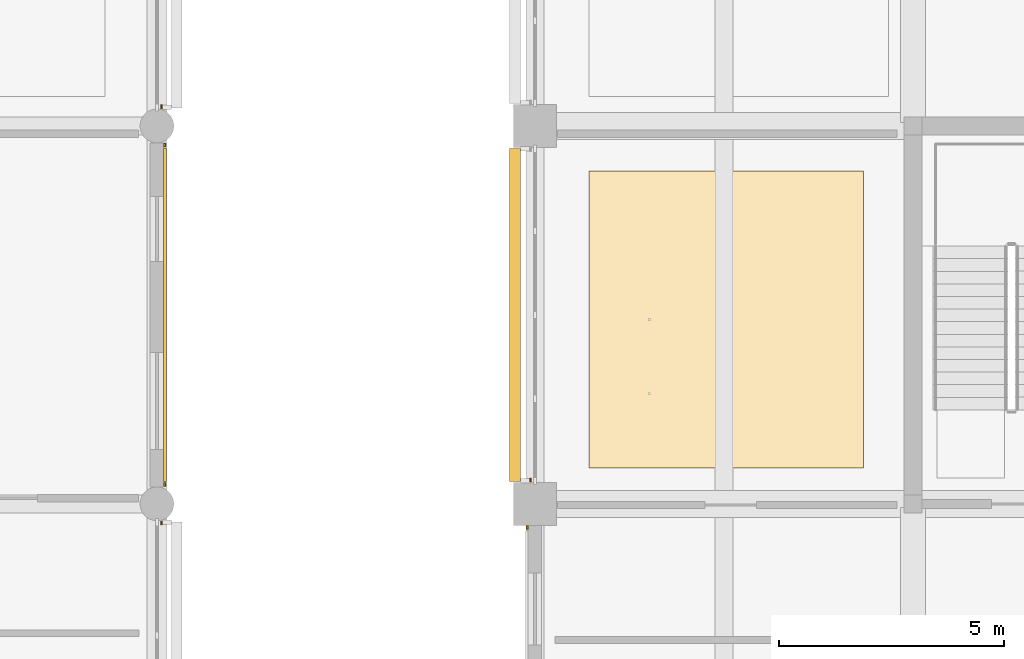
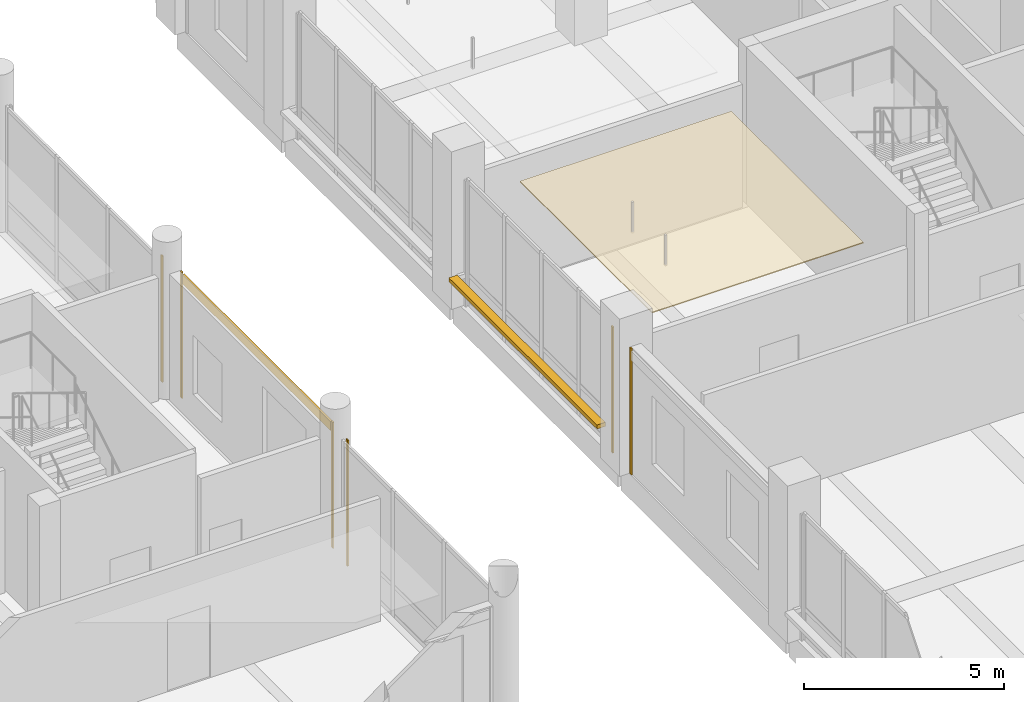
# One storey, part 93 of 122: 8 coverings, 1 shading device.
"""IFC4 building model written with IfcOpenShell, lengths in metres."""

import ifcopenshell
import ifcopenshell.guid

model = None  # the IFC model being written
_history = None  # IfcOwnerHistory: only IFC2X3 demands one
_inside = {}  # id of a spatial element -> (the spatial element, [elements in it])
_under = {}  # id of a project, library or spatial element -> (it, [spatial elements below it])
_declared = {}  # id of a project -> (the project, [libraries it declares])
_typed = {}  # id of a type object -> (the type object, [elements of that type])
_made_of = {}  # id of a material, layer set ... -> (it, [elements and type objects made of it])


def new_model(schema):
    """Start an empty IFC model of exactly this schema.

    Asked for "IFC4X3", IfcOpenShell would pick the latest addendum, in which some entities
    have other attributes; the version numbers below select the first issue.
    IFC2X3 requires an IfcOwnerHistory on every rooted entity: one is made here for all.
    """
    global model, _history
    if schema == "IFC4X3":
        model = ifcopenshell.file(schema_version=(4, 3, 0, 0))
    else:
        model = ifcopenshell.file(schema=schema)
    _inside.clear()
    _under.clear()
    _declared.clear()
    _typed.clear()
    _made_of.clear()
    _history = None
    if model.schema == "IFC2X3":
        org = make("IfcOrganization", Name="unknown")
        user = make(
            "IfcPersonAndOrganization",
            ThePerson=make("IfcPerson", FamilyName="unknown"),
            TheOrganization=org,
        )
        app = make(
            "IfcApplication",
            ApplicationDeveloper=org,
            Version="unknown",
            ApplicationFullName="unknown",
            ApplicationIdentifier="unknown",
        )
        _history = make(
            "IfcOwnerHistory",
            OwningUser=user,
            OwningApplication=app,
            ChangeAction="ADDED",
            CreationDate=0,
        )
    return model


def make(cls, **values):
    """One entity of the class cls with the attributes given. An attribute that is None is left unset."""
    return model.create_entity(
        cls, **{name: value for name, value in values.items() if value is not None}
    )


def rooted(cls, **values):
    """An entity with a GlobalId (a new one), such as an element, a storey or a relation."""
    return make(cls, GlobalId=ifcopenshell.guid.new(), OwnerHistory=_history, **values)


def si_unit(unit_type, name, prefix=None):
    """IfcSIUnit, for example si_unit("LENGTHUNIT", "METRE", prefix="MILLI")."""
    return make("IfcSIUnit", UnitType=unit_type, Prefix=prefix, Name=name)


def assignment(units):
    """IfcUnitAssignment: the units of a project."""
    return None if units is None else make("IfcUnitAssignment", Units=units)


def point(xyz):
    """IfcCartesianPoint."""
    return None if xyz is None else make("IfcCartesianPoint", Coordinates=xyz)


def direction(xyz):
    """IfcDirection."""
    return None if xyz is None else make("IfcDirection", DirectionRatios=xyz)


def frame(location, z_axis=None, x_axis=None):
    """IfcAxis2Placement3D, a coordinate frame: its origin and axes. An axis left out is left unset."""
    return make(
        "IfcAxis2Placement3D",
        Location=point(location),
        Axis=direction(z_axis),
        RefDirection=direction(x_axis),
    )


def frame_2d(location, x_axis=None):
    """IfcAxis2Placement2D, a coordinate frame in the plane: its origin and x axis."""
    return make(
        "IfcAxis2Placement2D", Location=point(location), RefDirection=direction(x_axis)
    )


def origin():
    """The frame at (0, 0, 0) with its axes left unset."""
    return frame((0.0, 0.0, 0.0))


def origin_2d():
    """The frame at (0, 0) in the plane with its x axis left unset."""
    return frame_2d((0.0, 0.0))


def place(relative_to, where):
    """IfcLocalPlacement: puts the frame where relative to a parent placement (None: the world)."""
    return make(
        "IfcLocalPlacement", PlacementRelTo=relative_to, RelativePlacement=where
    )


def context(
    kind, dimensions, precision=None, world=None, true_north=None, identifier=None
):
    """IfcGeometricRepresentationContext, for example the 3D "Model" context."""
    return make(
        "IfcGeometricRepresentationContext",
        ContextIdentifier=identifier,
        ContextType=kind,
        CoordinateSpaceDimension=dimensions,
        Precision=precision,
        WorldCoordinateSystem=world,
        TrueNorth=true_north,
    )


def subcontext(parent, identifier, kind, view, scale=None):
    """IfcGeometricRepresentationSubContext, for example "Body" below "Model"."""
    return make(
        "IfcGeometricRepresentationSubContext",
        ContextIdentifier=identifier,
        ContextType=kind,
        ParentContext=parent,
        TargetScale=scale,
        TargetView=view,
    )


def project(units=None, contexts=None):
    """IfcProject with its units and contexts."""
    return rooted(
        "IfcProject",
        Name="project",
        RepresentationContexts=contexts,
        UnitsInContext=assignment(units),
    )


def spatial(cls, under=None, at=None, **own):
    """A site, building, storey or space (cls), placed at a placement, below another one or the project."""
    s = rooted(cls, ObjectPlacement=at, **own)
    if under is not None:
        _under.setdefault(under.id(), (under, []))[1].append(s)
    return s


def polyline(points):
    """IfcPolyline through the points."""
    return make("IfcPolyline", Points=[point(p) for p in points])


def profile(cls, at=None, kind="AREA", **sizes):
    """A parametric profile (cls). Its sizes go by their IFC names, for example OverallWidth=200.0."""
    return make(cls, ProfileType=kind, Position=at, **sizes)


def rectangle(**sizes):
    """IfcRectangleProfileDef."""
    return profile("IfcRectangleProfileDef", **sizes)


def outline(outer, holes=None, kind="AREA"):
    """IfcArbitraryClosedProfileDef: a profile drawn as a closed curve; with holes, ...WithVoids."""
    if holes is None:
        return make("IfcArbitraryClosedProfileDef", ProfileType=kind, OuterCurve=outer)
    return make(
        "IfcArbitraryProfileDefWithVoids",
        ProfileType=kind,
        OuterCurve=outer,
        InnerCurves=holes,
    )


def extrude(swept, where, along, depth):
    """IfcExtrudedAreaSolid: the profile swept, set in the frame where, extruded along a direction by depth."""
    return make(
        "IfcExtrudedAreaSolid",
        SweptArea=swept,
        Position=where,
        ExtrudedDirection=direction(along),
        Depth=depth,
    )


def shape(context_of_items, identifier, shape_type, items):
    """IfcShapeRepresentation: the items that make up one representation, for example the "Body"."""
    return make(
        "IfcShapeRepresentation",
        ContextOfItems=context_of_items,
        RepresentationIdentifier=identifier,
        RepresentationType=shape_type,
        Items=items,
    )


def material(Name=None, Category=None):
    """IfcMaterial."""
    return make("IfcMaterial", Name=Name, Category=Category)


def layer(
    of_material, thickness, ventilated=None, Name=None, Category=None, Priority=None
):
    """IfcMaterialLayer: one layer of a wall or slab, of a material (None: an air gap)."""
    return make(
        "IfcMaterialLayer",
        Material=of_material,
        LayerThickness=thickness,
        IsVentilated=ventilated,
        Name=Name,
        Category=Category,
        Priority=Priority,
    )


def layer_set(layers, Name=None):
    """IfcMaterialLayerSet."""
    return make("IfcMaterialLayerSet", MaterialLayers=layers, LayerSetName=Name)


def made_of(thing, what):
    """Note that an element or type object is made of a material, layer set ...; save() writes the relation."""
    if what is not None:
        _made_of.setdefault(what.id(), (what, []))[1].append(thing)
    return thing


def type_object(cls, material=None, **own):
    """A type object (cls), such as IfcWallType, which elements share."""
    return made_of(rooted(cls, **own), material)


def element(
    cls,
    number,
    at=None,
    inside=None,
    cuts=None,
    type_object=None,
    material=None,
    context=None,
    identifier="Body",
    shape_type=None,
    held_by="IfcProductDefinitionShape",
    body=None,
    shapes=None,
    **own,
):
    """One element of the class cls, such as IfcWall. Its Tag is "e" and its number.

    at: its placement. inside: the storey or other place that contains it. cuts: it is an
    opening in that element (IfcRelVoidsElement). A single representation is given by context,
    identifier, shape_type and body (its items); several are given by shapes. held_by: the class
    of the entity that holds the representations. save() writes the other relations.
    """
    e = rooted(cls, Tag="e%d" % number, ObjectPlacement=at, **own)
    if body is not None:
        shapes = [shape(context, identifier, shape_type, body)]
    if shapes is not None:
        e.Representation = make(held_by, Representations=shapes)
    if inside is not None:
        _inside.setdefault(inside.id(), (inside, []))[1].append(e)
    if cuts is not None:
        rooted(
            "IfcRelVoidsElement", RelatingBuildingElement=cuts, RelatedOpeningElement=e
        )
    if type_object is not None:
        _typed.setdefault(type_object.id(), (type_object, []))[1].append(e)
    return made_of(e, material)


def aggregate(whole, parts):
    """IfcRelAggregates: a whole, such as a stair, and the parts it consists of."""
    return rooted("IfcRelAggregates", RelatingObject=whole, RelatedObjects=parts)


def save(model, path):
    """Write the relations noted so far, then the file.

    IfcRelAggregates (storeys below a building ...), IfcRelContainedInSpatialStructure (elements
    in a storey), IfcRelDefinesByType, IfcRelAssociatesMaterial and IfcRelDeclares: one each for
    every whole, place, type object, material and project.
    """
    for whole, parts in _under.values():
        aggregate(whole, parts)
    for where, things in _inside.values():
        rooted(
            "IfcRelContainedInSpatialStructure",
            RelatedElements=things,
            RelatingStructure=where,
        )
    for kind, things in _typed.values():
        rooted("IfcRelDefinesByType", RelatedObjects=things, RelatingType=kind)
    for what, things in _made_of.values():
        rooted("IfcRelAssociatesMaterial", RelatedObjects=things, RelatingMaterial=what)
    for by, libraries in _declared.values():
        rooted("IfcRelDeclares", RelatingContext=by, RelatedDefinitions=libraries)
    model.write(path)


model = new_model("IFC4")

# Units and contexts
model_context = context("Model", 3, precision=1e-05, world=origin(), true_north=direction((0.0, 1.0)))
body_context = subcontext(model_context, "Body", "Model", "MODEL_VIEW")
ifc_project = project(units=[si_unit("LENGTHUNIT", "METRE"), si_unit("AREAUNIT", "SQUARE_METRE"), si_unit("VOLUMEUNIT", "CUBIC_METRE"), si_unit("PLANEANGLEUNIT", "RADIAN"), si_unit("MASSUNIT", "GRAM", prefix="KILO")], contexts=[model_context])

# Site, building, storey
site_placement = place(None, origin())
site = spatial("IfcSite", under=ifc_project, at=site_placement, CompositionType="ELEMENT")
building_placement = place(site_placement, origin())
building = spatial("IfcBuilding", under=site, at=building_placement, Name="Telukmera Botanical Conservatory", CompositionType="ELEMENT")
storey_placement = place(building_placement, frame((0.0, 0.0, 10.199951171875)))
storey = spatial("IfcBuildingStorey", under=building, at=storey_placement, Name="L02", CompositionType="ELEMENT", Elevation=10.199951171875)

# Coverings
ifc_material_1 = material(Name="Mineral fibre acoustic ceiling")
ifc_layer_1 = layer(ifc_material_1, 0.030029296875)
ifc_layer_set_1 = layer_set([ifc_layer_1], Name="Mineral fibre acoustic ceiling")
covering_type_1 = type_object("IfcCoveringType", Name="COV-CEIL-30", PredefinedType="CEILING", material=ifc_layer_set_1)
covering_1_placement = place(storey_placement, frame((0.0, 0.0, 3.6201171875)))
element("IfcCovering", 1, at=covering_1_placement, inside=storey, type_object=covering_type_1, Name="L02 Herbarium Loan Dispatch Studio Suspended Acoustic Ceiling", PredefinedType="CEILING", context=body_context, shape_type="SweptSolid", body=[
    extrude(outline(polyline([(51.60009765625, 26.800048828125), (57.699951171875, 26.800048828125), (57.699951171875, 33.39990234375), (51.60009765625, 33.39990234375), (51.60009765625, 26.800048828125)])), origin(), (0.0, 0.0, 1.0), 0.030029296875),
])
ifc_material_2 = material(Name="Granite-faced precast concrete C40/50", Category="masonry")
ifc_layer_2 = layer(ifc_material_2, 0.0400390625)
ifc_layer_set_2 = layer_set([ifc_layer_2], Name="Granite-faced precast concrete C40/50")
covering_type_2 = type_object("IfcCoveringType", Name="Granite Precast Column Pier Reveal Casing", PredefinedType="CLADDING", material=ifc_layer_set_2)
for number, where, z_axis, x_axis, name in (
    (2, (42.10009765625, 25.572998046875, 0.0), (0.0, 0.0, 1.0), (0.0, 1.0, 0.0), "Granite Pier Reveal V3:L02:E1 R"),
    (3, (42.169921875, 26.427001953125, 0.0), (0.0, 0.0, 1.0), (0.0, 1.0, 0.0), "Granite Pier Reveal V3:L02:E2 L"),
    (4, (42.169921875, 33.972900390625, 0.0), (0.0, 0.0, 1.0), (0.0, 1.0, 0.0), "Granite Pier Reveal V3:L02:E2 R"),
    (5, (42.10009765625, 34.826904296875, 0.0), (0.0, 0.0, 1.0), (0.0, 1.0, 0.0), "Granite Pier Reveal V3:L02:E3 L"),
    (6, (50.22998046875, 25.472900390625, 0.0), (0.0, 0.0, 1.0), (0.0, 1.0, 0.0), "Granite Pier Reveal V4:L02:W2 R"),
    (7, (50.300048828125, 26.527099609375, 0.0), (0.0, 0.0, 1.0), (0.0, 1.0, 0.0), "Granite Pier Reveal V4:L02:W3 L"),
):
    element("IfcCovering", number, at=place(storey_placement, frame(where, z_axis=z_axis, x_axis=x_axis)), inside=storey, type_object=covering_type_2, Name=name, PredefinedType="CLADDING", context=body_context, shape_type="SweptSolid", body=[
        extrude(rectangle(XDim=0.080078125, YDim=0.0400390625, at=origin_2d()), origin(), (0.0, 0.0, 1.0), 3.85009765625),
    ])

# Shading device
ifc_material_3 = material(Name="Perforated terracotta-anodised aluminium 6063-T6", Category="masonry")
ifc_layer_3 = layer(ifc_material_3, 0.044921875)
ifc_layer_set_3 = layer_set([ifc_layer_3], Name="Perforated terracotta-anodised aluminium 6063-T6")
shading_device_type = type_object("IfcShadingDeviceType", Name="Perforated Terracotta Aluminium Monsoon Brise Soleil", PredefinedType="JALOUSIE", material=ifc_layer_set_3)
shading_device_placement = place(storey_placement, frame((49.9599609375, 30.199951171875, 0.889892578125), z_axis=(0.0, 0.0, 1.0), x_axis=(0.0, 1.0, 0.0)))
element("IfcShadingDevice", 8, at=shading_device_placement, inside=storey, type_object=shading_device_type, Name="Monsoon Shading BS01 V4:L02:W3", PredefinedType="JALOUSIE", context=body_context, shape_type="SweptSolid", body=[
    extrude(rectangle(XDim=7.406005859375, YDim=0.239990234375, at=origin_2d()), origin(), (0.0, 0.0, 1.0), 0.1201171875),
])

# Covering
ifc_material_4 = material(Name="Terracotta-faced precast concrete C40/50", Category="masonry")
ifc_layer_4 = layer(ifc_material_4, 0.06005859375)
ifc_layer_set_4 = layer_set([ifc_layer_4], Name="Terracotta-faced precast concrete C40/50")
covering_type_3 = type_object("IfcCoveringType", Name="Polychrome Terracotta Facade Band Cladding", PredefinedType="CLADDING", material=ifc_layer_set_4)
covering_2_placement = place(storey_placement, frame((42.179931640625, 30.199951171875, 3.5302734375), z_axis=(0.0, 0.0, 1.0), x_axis=(0.0, 1.0, 0.0)))
element("IfcCovering", 9, at=covering_2_placement, inside=storey, type_object=covering_type_3, Name="Polychrome Terracotta Band V3:L02:E2", PredefinedType="CLADDING", context=body_context, shape_type="SweptSolid", body=[
    extrude(rectangle(XDim=7.406005859375, YDim=0.06005859375, at=origin_2d()), origin(), (0.0, 0.0, 1.0), 0.280029296875),
])

save(model, "model.ifc")
